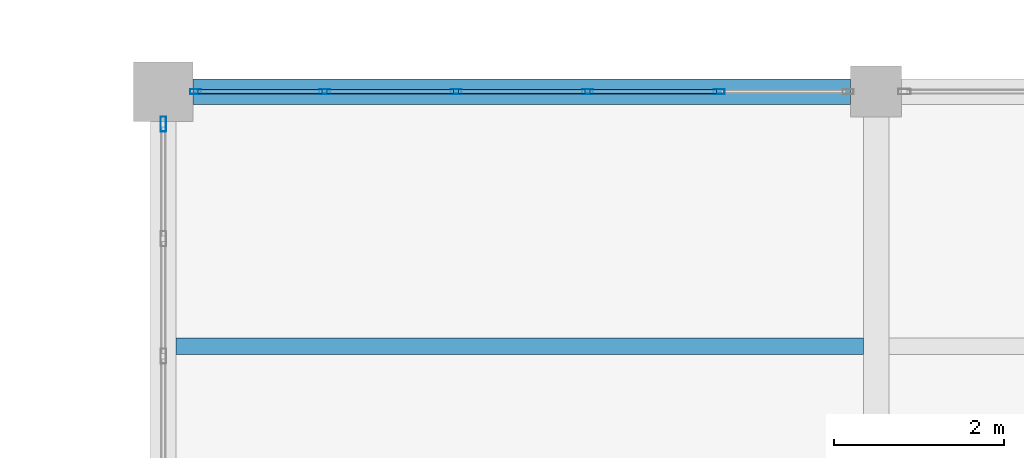
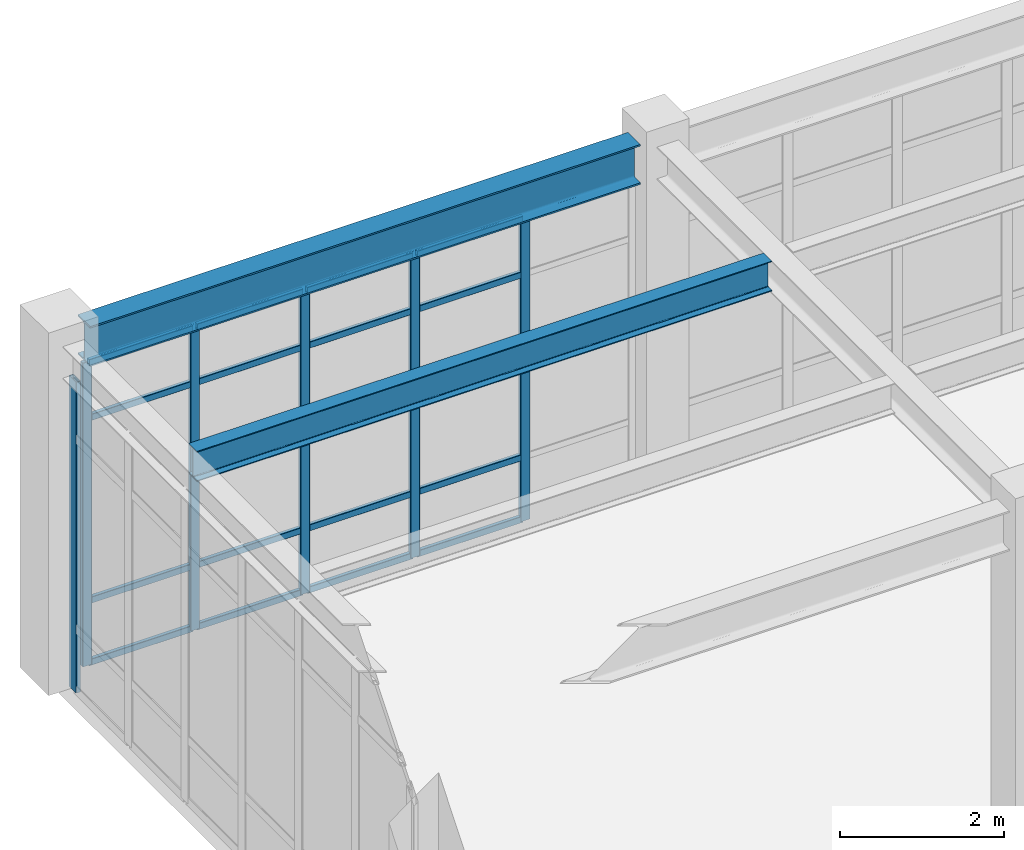
# One storey, part 40 of 80: 22 members, 2 beams, 2 elements without a shape of their own.
"""IFC4 building model written with IfcOpenShell, lengths in metres."""

import ifcopenshell
import ifcopenshell.guid

model = None  # the IFC model being written
_history = None  # IfcOwnerHistory: only IFC2X3 demands one
_inside = {}  # id of a spatial element -> (the spatial element, [elements in it])
_under = {}  # id of a project, library or spatial element -> (it, [spatial elements below it])
_declared = {}  # id of a project -> (the project, [libraries it declares])
_typed = {}  # id of a type object -> (the type object, [elements of that type])
_made_of = {}  # id of a material, layer set ... -> (it, [elements and type objects made of it])


def new_model(schema):
    """Start an empty IFC model of exactly this schema.

    Asked for "IFC4X3", IfcOpenShell would pick the latest addendum, in which some entities
    have other attributes; the version numbers below select the first issue.
    IFC2X3 requires an IfcOwnerHistory on every rooted entity: one is made here for all.
    """
    global model, _history
    if schema == "IFC4X3":
        model = ifcopenshell.file(schema_version=(4, 3, 0, 0))
    else:
        model = ifcopenshell.file(schema=schema)
    _inside.clear()
    _under.clear()
    _declared.clear()
    _typed.clear()
    _made_of.clear()
    _history = None
    if model.schema == "IFC2X3":
        org = make("IfcOrganization", Name="unknown")
        user = make(
            "IfcPersonAndOrganization",
            ThePerson=make("IfcPerson", FamilyName="unknown"),
            TheOrganization=org,
        )
        app = make(
            "IfcApplication",
            ApplicationDeveloper=org,
            Version="unknown",
            ApplicationFullName="unknown",
            ApplicationIdentifier="unknown",
        )
        _history = make(
            "IfcOwnerHistory",
            OwningUser=user,
            OwningApplication=app,
            ChangeAction="ADDED",
            CreationDate=0,
        )
    return model


def make(cls, **values):
    """One entity of the class cls with the attributes given. An attribute that is None is left unset."""
    return model.create_entity(
        cls, **{name: value for name, value in values.items() if value is not None}
    )


def rooted(cls, **values):
    """An entity with a GlobalId (a new one), such as an element, a storey or a relation."""
    return make(cls, GlobalId=ifcopenshell.guid.new(), OwnerHistory=_history, **values)


def si_unit(unit_type, name, prefix=None):
    """IfcSIUnit, for example si_unit("LENGTHUNIT", "METRE", prefix="MILLI")."""
    return make("IfcSIUnit", UnitType=unit_type, Prefix=prefix, Name=name)


def assignment(units):
    """IfcUnitAssignment: the units of a project."""
    return None if units is None else make("IfcUnitAssignment", Units=units)


def point(xyz):
    """IfcCartesianPoint."""
    return None if xyz is None else make("IfcCartesianPoint", Coordinates=xyz)


def direction(xyz):
    """IfcDirection."""
    return None if xyz is None else make("IfcDirection", DirectionRatios=xyz)


def frame(location, z_axis=None, x_axis=None):
    """IfcAxis2Placement3D, a coordinate frame: its origin and axes. An axis left out is left unset."""
    return make(
        "IfcAxis2Placement3D",
        Location=point(location),
        Axis=direction(z_axis),
        RefDirection=direction(x_axis),
    )


def frame_2d(location, x_axis=None):
    """IfcAxis2Placement2D, a coordinate frame in the plane: its origin and x axis."""
    return make(
        "IfcAxis2Placement2D", Location=point(location), RefDirection=direction(x_axis)
    )


def origin():
    """The frame at (0, 0, 0) with its axes left unset."""
    return frame((0.0, 0.0, 0.0))


def origin_2d():
    """The frame at (0, 0) in the plane with its x axis left unset."""
    return frame_2d((0.0, 0.0))


def place(relative_to, where):
    """IfcLocalPlacement: puts the frame where relative to a parent placement (None: the world)."""
    return make(
        "IfcLocalPlacement", PlacementRelTo=relative_to, RelativePlacement=where
    )


def context(
    kind, dimensions, precision=None, world=None, true_north=None, identifier=None
):
    """IfcGeometricRepresentationContext, for example the 3D "Model" context."""
    return make(
        "IfcGeometricRepresentationContext",
        ContextIdentifier=identifier,
        ContextType=kind,
        CoordinateSpaceDimension=dimensions,
        Precision=precision,
        WorldCoordinateSystem=world,
        TrueNorth=true_north,
    )


def subcontext(parent, identifier, kind, view, scale=None):
    """IfcGeometricRepresentationSubContext, for example "Body" below "Model"."""
    return make(
        "IfcGeometricRepresentationSubContext",
        ContextIdentifier=identifier,
        ContextType=kind,
        ParentContext=parent,
        TargetScale=scale,
        TargetView=view,
    )


def project(units=None, contexts=None):
    """IfcProject with its units and contexts."""
    return rooted(
        "IfcProject",
        Name="project",
        RepresentationContexts=contexts,
        UnitsInContext=assignment(units),
    )


def spatial(cls, under=None, at=None, **own):
    """A site, building, storey or space (cls), placed at a placement, below another one or the project."""
    s = rooted(cls, ObjectPlacement=at, **own)
    if under is not None:
        _under.setdefault(under.id(), (under, []))[1].append(s)
    return s


def profile(cls, at=None, kind="AREA", **sizes):
    """A parametric profile (cls). Its sizes go by their IFC names, for example OverallWidth=200.0."""
    return make(cls, ProfileType=kind, Position=at, **sizes)


def hollow_rectangle(**sizes):
    """IfcRectangleHollowProfileDef."""
    return profile("IfcRectangleHollowProfileDef", **sizes)


def i_section(**sizes):
    """IfcIShapeProfileDef."""
    return profile("IfcIShapeProfileDef", **sizes)


def extrude(swept, where, along, depth):
    """IfcExtrudedAreaSolid: the profile swept, set in the frame where, extruded along a direction by depth."""
    return make(
        "IfcExtrudedAreaSolid",
        SweptArea=swept,
        Position=where,
        ExtrudedDirection=direction(along),
        Depth=depth,
    )


def shape(context_of_items, identifier, shape_type, items):
    """IfcShapeRepresentation: the items that make up one representation, for example the "Body"."""
    return make(
        "IfcShapeRepresentation",
        ContextOfItems=context_of_items,
        RepresentationIdentifier=identifier,
        RepresentationType=shape_type,
        Items=items,
    )


def material(Name=None, Category=None):
    """IfcMaterial."""
    return make("IfcMaterial", Name=Name, Category=Category)


def material_profile(
    of_material, cross_section, Name=None, Category=None, Priority=None
):
    """IfcMaterialProfile: a cross section and its material."""
    return make(
        "IfcMaterialProfile",
        Name=Name,
        Material=of_material,
        Profile=cross_section,
        Priority=Priority,
        Category=Category,
    )


def profile_set(profiles, Name=None, composite=None):
    """IfcMaterialProfileSet."""
    return make(
        "IfcMaterialProfileSet",
        Name=Name,
        MaterialProfiles=profiles,
        CompositeProfile=composite,
    )


def made_of(thing, what):
    """Note that an element or type object is made of a material, layer set ...; save() writes the relation."""
    if what is not None:
        _made_of.setdefault(what.id(), (what, []))[1].append(thing)
    return thing


def type_object(cls, material=None, **own):
    """A type object (cls), such as IfcWallType, which elements share."""
    return made_of(rooted(cls, **own), material)


def element(
    cls,
    number,
    at=None,
    inside=None,
    cuts=None,
    type_object=None,
    material=None,
    context=None,
    identifier="Body",
    shape_type=None,
    held_by="IfcProductDefinitionShape",
    body=None,
    shapes=None,
    **own,
):
    """One element of the class cls, such as IfcWall. Its Tag is "e" and its number.

    at: its placement. inside: the storey or other place that contains it. cuts: it is an
    opening in that element (IfcRelVoidsElement). A single representation is given by context,
    identifier, shape_type and body (its items); several are given by shapes. held_by: the class
    of the entity that holds the representations. save() writes the other relations.
    """
    e = rooted(cls, Tag="e%d" % number, ObjectPlacement=at, **own)
    if body is not None:
        shapes = [shape(context, identifier, shape_type, body)]
    if shapes is not None:
        e.Representation = make(held_by, Representations=shapes)
    if inside is not None:
        _inside.setdefault(inside.id(), (inside, []))[1].append(e)
    if cuts is not None:
        rooted(
            "IfcRelVoidsElement", RelatingBuildingElement=cuts, RelatedOpeningElement=e
        )
    if type_object is not None:
        _typed.setdefault(type_object.id(), (type_object, []))[1].append(e)
    return made_of(e, material)


def aggregate(whole, parts):
    """IfcRelAggregates: a whole, such as a stair, and the parts it consists of."""
    return rooted("IfcRelAggregates", RelatingObject=whole, RelatedObjects=parts)


def save(model, path):
    """Write the relations noted so far, then the file.

    IfcRelAggregates (storeys below a building ...), IfcRelContainedInSpatialStructure (elements
    in a storey), IfcRelDefinesByType, IfcRelAssociatesMaterial and IfcRelDeclares: one each for
    every whole, place, type object, material and project.
    """
    for whole, parts in _under.values():
        aggregate(whole, parts)
    for where, things in _inside.values():
        rooted(
            "IfcRelContainedInSpatialStructure",
            RelatedElements=things,
            RelatingStructure=where,
        )
    for kind, things in _typed.values():
        rooted("IfcRelDefinesByType", RelatedObjects=things, RelatingType=kind)
    for what, things in _made_of.values():
        rooted("IfcRelAssociatesMaterial", RelatedObjects=things, RelatingMaterial=what)
    for by, libraries in _declared.values():
        rooted("IfcRelDeclares", RelatingContext=by, RelatedDefinitions=libraries)
    model.write(path)


model = new_model("IFC4")

# Units and contexts
model_context = context("Model", 3, precision=1e-05, world=origin(), true_north=direction((0.0, 1.0)))
body_context = subcontext(model_context, "Body", "Model", "MODEL_VIEW")
ifc_project = project(units=[si_unit("LENGTHUNIT", "METRE"), si_unit("AREAUNIT", "SQUARE_METRE"), si_unit("VOLUMEUNIT", "CUBIC_METRE"), si_unit("PLANEANGLEUNIT", "RADIAN"), si_unit("MASSUNIT", "GRAM", prefix="KILO")], contexts=[model_context])

# Site, building, storey
site_placement = place(None, origin())
site = spatial("IfcSite", under=ifc_project, at=site_placement, CompositionType="ELEMENT")
building_placement = place(site_placement, origin())
building = spatial("IfcBuilding", under=site, at=building_placement, Name="Canglan Escarpment Cableway Terminal", CompositionType="ELEMENT")
storey_placement = place(building_placement, frame((0.0, 0.0, 19.199951171875)))
storey = spatial("IfcBuildingStorey", under=building, at=storey_placement, Name="L04", CompositionType="ELEMENT", Elevation=19.199951171875)

# Beam
ifc_material_1 = material(Name="Steel Q355C", Category="steel")
ifc_material_profile_1 = material_profile(ifc_material_1, i_section(OverallWidth=0.302001953125, OverallDepth=0.593994140625, WebThickness=0.013916015625, FlangeThickness=0.02294921875, FilletRadius=0.028076171875, at=origin_2d()), Name="HM 594x302x14x23")
ifc_profile_set_1 = profile_set([ifc_material_profile_1], Name="Steel Q355C")
beam_type_1 = type_object("IfcBeamType", Name="BM-HM594", PredefinedType="BEAM", material=ifc_profile_set_1)
beam_1_placement = place(storey_placement, frame((111.85009765625, 115.0, 4.8330078125), z_axis=(1.0, 0.0, 0.0), x_axis=(0.0, 1.0, 0.0)))
element("IfcBeam", 1, at=beam_1_placement, inside=storey, type_object=beam_type_1, Name="Primary structural girder B-07", PredefinedType="BEAM", context=body_context, shape_type="SweptSolid", body=[
    extrude(i_section(OverallWidth=0.302001953125, OverallDepth=0.593994140625, WebThickness=0.013916015625, FlangeThickness=0.02294921875, FilletRadius=0.028076171875, at=origin_2d()), origin(), (0.0, 0.0, 1.0), 7.75),
])

# Curtain wall, members
ifc_material_2 = material(Name="Anodized bronze aluminium and Low-E double glazing", Category="aluminium")
curtain_wall_type_1 = type_object("IfcCurtainWallType", Name="CW-BAY-7750x4525", PredefinedType="NOTDEFINED", material=ifc_material_2)
curtain_wall_1_placement = place(storey_placement, origin())
curtain_wall_1 = element("IfcCurtainWall", 2, at=curtain_wall_1_placement, inside=storey, type_object=curtain_wall_type_1, Name="Classical bay-between-piers glazed curtain wall CW-52", PredefinedType="NOTDEFINED")
ifc_material_3 = material(Name="Thermally broken anodized aluminium 6063-T6", Category="aluminium")
ifc_material_profile_2 = material_profile(ifc_material_3, hollow_rectangle(XDim=0.06005859375, YDim=0.1298828125, WallThickness=0.0029296875, InnerFilletRadius=0.0029296875, OuterFilletRadius=0.006103515625, at=origin_2d()), Name="ALU-MULL 60x130x3")
ifc_profile_set_2 = profile_set([ifc_material_profile_2], Name="Thermally broken anodized aluminium 6063-T6")
member_type_1 = type_object("IfcMemberType", Name="CWM-01", PredefinedType="MULLION", material=ifc_profile_set_2)
member_1_placement = place(storey_placement, frame((118.050048828125, 115.0, 0.0), z_axis=(0.0, 0.0, 1.0), x_axis=(0.0, -1.0, 0.0)))
member_1 = element("IfcMember", 3, at=member_1_placement, type_object=member_type_1, Name="CW-52 mullion 2", PredefinedType="MULLION", context=body_context, shape_type="SweptSolid", body=[
    extrude(hollow_rectangle(XDim=0.06005859375, YDim=0.1298828125, WallThickness=0.0029296875, InnerFilletRadius=0.0029296875, OuterFilletRadius=0.006103515625, at=origin_2d()), origin(), (0.0, 0.0, 1.0), 4.52099609375),
])
member_2_placement = place(storey_placement, frame((116.5, 115.0, 0.0), z_axis=(0.0, 0.0, 1.0), x_axis=(0.0, -1.0, 0.0)))
member_2 = element("IfcMember", 4, at=member_2_placement, type_object=member_type_1, Name="CW-52 mullion 3", PredefinedType="MULLION", context=body_context, shape_type="SweptSolid", body=[
    extrude(hollow_rectangle(XDim=0.06005859375, YDim=0.1298828125, WallThickness=0.0029296875, InnerFilletRadius=0.0029296875, OuterFilletRadius=0.006103515625, at=origin_2d()), origin(), (0.0, 0.0, 1.0), 4.52099609375),
])
member_3_placement = place(storey_placement, frame((114.949951171875, 115.0, 0.0), z_axis=(0.0, 0.0, 1.0), x_axis=(0.0, -1.0, 0.0)))
member_3 = element("IfcMember", 5, at=member_3_placement, type_object=member_type_1, Name="CW-52 mullion 4", PredefinedType="MULLION", context=body_context, shape_type="SweptSolid", body=[
    extrude(hollow_rectangle(XDim=0.06005859375, YDim=0.1298828125, WallThickness=0.0029296875, InnerFilletRadius=0.0029296875, OuterFilletRadius=0.006103515625, at=origin_2d()), origin(), (0.0, 0.0, 1.0), 4.52099609375),
])
member_4_placement = place(storey_placement, frame((113.39990234375, 115.0, 0.0), z_axis=(0.0, 0.0, 1.0), x_axis=(0.0, -1.0, 0.0)))
member_4 = element("IfcMember", 6, at=member_4_placement, type_object=member_type_1, Name="CW-52 mullion 5", PredefinedType="MULLION", context=body_context, shape_type="SweptSolid", body=[
    extrude(hollow_rectangle(XDim=0.06005859375, YDim=0.1298828125, WallThickness=0.0029296875, InnerFilletRadius=0.0029296875, OuterFilletRadius=0.006103515625, at=origin_2d()), origin(), (0.0, 0.0, 1.0), 4.52099609375),
])
member_5_placement = place(storey_placement, frame((111.8798828125, 115.0, 0.0), z_axis=(0.0, 0.0, 1.0), x_axis=(0.0, -1.0, 0.0)))
member_5 = element("IfcMember", 7, at=member_5_placement, type_object=member_type_1, Name="CW-52 mullion 6", PredefinedType="MULLION", context=body_context, shape_type="SweptSolid", body=[
    extrude(hollow_rectangle(XDim=0.06005859375, YDim=0.1298828125, WallThickness=0.0029296875, InnerFilletRadius=0.0029296875, OuterFilletRadius=0.006103515625, at=origin_2d()), origin(), (0.0, 0.0, 1.0), 4.52099609375),
])

# Curtain wall, member
curtain_wall_type_2 = type_object("IfcCurtainWallType", Name="CW-BAY-8300x4625", PredefinedType="NOTDEFINED", material=ifc_material_2)
curtain_wall_2_placement = place(storey_placement, origin())
curtain_wall_2 = element("IfcCurtainWall", 8, at=curtain_wall_2_placement, inside=storey, type_object=curtain_wall_type_2, Name="Classical bay-between-piers glazed curtain wall CW-56", PredefinedType="NOTDEFINED")
ifc_material_profile_3 = material_profile(ifc_material_3, hollow_rectangle(XDim=0.06494140625, YDim=0.179931640625, WallThickness=0.00390625, InnerFilletRadius=0.00390625, OuterFilletRadius=0.008056640625, at=origin_2d()), Name="ALU-MULL 65x180x4")
ifc_profile_set_3 = profile_set([ifc_material_profile_3], Name="Thermally broken anodized aluminium 6063-T6")
member_type_2 = type_object("IfcMemberType", Name="CWM-03", PredefinedType="MULLION", material=ifc_profile_set_3)
member_6_placement = place(storey_placement, frame((111.5, 114.617431640625, 0.0), z_axis=(0.0, 0.0, 1.0), x_axis=(1.0, 0.0, 0.0)))
member_6 = element("IfcMember", 9, at=member_6_placement, type_object=member_type_2, Name="CW-56 mullion 1", PredefinedType="MULLION", context=body_context, shape_type="SweptSolid", body=[
    extrude(hollow_rectangle(XDim=0.06494140625, YDim=0.179931640625, WallThickness=0.00390625, InnerFilletRadius=0.00390625, OuterFilletRadius=0.008056640625, at=origin_2d()), origin(), (0.0, 0.0, 1.0), 4.626953125),
])
aggregate(curtain_wall_2, [member_6])

# Member
ifc_material_profile_4 = material_profile(ifc_material_3, hollow_rectangle(XDim=0.054931640625, YDim=0.094970703125, WallThickness=0.0029296875, InnerFilletRadius=0.0029296875, OuterFilletRadius=0.006103515625, at=origin_2d()), Name="ALU-TRAN 55x95x3")
ifc_profile_set_4 = profile_set([ifc_material_profile_4], Name="Thermally broken anodized aluminium 6063-T6")
member_type_3 = type_object("IfcMemberType", Name="CWT-01", PredefinedType="USERDEFINED", material=ifc_profile_set_4)
member_7_placement = place(storey_placement, frame((118.02001953125, 115.0, 0.027587890625), z_axis=(-1.0, 0.0, 0.0), x_axis=(0.0, -1.0, 0.0)))
member_7 = element("IfcMember", 10, at=member_7_placement, type_object=member_type_3, Name="CW-52 transom 2.1", ObjectType="TRANSOM", PredefinedType="USERDEFINED", context=body_context, shape_type="SweptSolid", body=[
    extrude(hollow_rectangle(XDim=0.054931640625, YDim=0.094970703125, WallThickness=0.0029296875, InnerFilletRadius=0.0029296875, OuterFilletRadius=0.006103515625, at=origin_2d()), origin(), (0.0, 0.0, 1.0), 1.489990234375),
])

member_8_placement = place(storey_placement, frame((118.02001953125, 115.0, 0.949951171875), z_axis=(-1.0, 0.0, 0.0), x_axis=(0.0, -1.0, 0.0)))
member_8 = element("IfcMember", 11, at=member_8_placement, type_object=member_type_3, Name="CW-52 transom 2.2", ObjectType="TRANSOM", PredefinedType="USERDEFINED", context=body_context, shape_type="SweptSolid", body=[
    extrude(hollow_rectangle(XDim=0.054931640625, YDim=0.094970703125, WallThickness=0.0029296875, InnerFilletRadius=0.0029296875, OuterFilletRadius=0.006103515625, at=origin_2d()), origin(), (0.0, 0.0, 1.0), 1.489990234375),
])

member_9_placement = place(storey_placement, frame((118.02001953125, 115.0, 3.671142578125), z_axis=(-1.0, 0.0, 0.0), x_axis=(0.0, -1.0, 0.0)))
member_9 = element("IfcMember", 12, at=member_9_placement, type_object=member_type_3, Name="CW-52 transom 2.3", ObjectType="TRANSOM", PredefinedType="USERDEFINED", context=body_context, shape_type="SweptSolid", body=[
    extrude(hollow_rectangle(XDim=0.054931640625, YDim=0.094970703125, WallThickness=0.0029296875, InnerFilletRadius=0.0029296875, OuterFilletRadius=0.006103515625, at=origin_2d()), origin(), (0.0, 0.0, 1.0), 1.489990234375),
])

member_10_placement = place(storey_placement, frame((118.02001953125, 115.0, 4.49365234375), z_axis=(-1.0, 0.0, 0.0), x_axis=(0.0, -1.0, 0.0)))
member_10 = element("IfcMember", 13, at=member_10_placement, type_object=member_type_3, Name="CW-52 transom 2.4", ObjectType="TRANSOM", PredefinedType="USERDEFINED", context=body_context, shape_type="SweptSolid", body=[
    extrude(hollow_rectangle(XDim=0.054931640625, YDim=0.094970703125, WallThickness=0.0029296875, InnerFilletRadius=0.0029296875, OuterFilletRadius=0.006103515625, at=origin_2d()), origin(), (0.0, 0.0, 1.0), 1.489990234375),
])

member_11_placement = place(storey_placement, frame((116.469970703125, 115.0, 0.027587890625), z_axis=(-1.0, 0.0, 0.0), x_axis=(0.0, -1.0, 0.0)))
member_11 = element("IfcMember", 14, at=member_11_placement, type_object=member_type_3, Name="CW-52 transom 3.1", ObjectType="TRANSOM", PredefinedType="USERDEFINED", context=body_context, shape_type="SweptSolid", body=[
    extrude(hollow_rectangle(XDim=0.054931640625, YDim=0.094970703125, WallThickness=0.0029296875, InnerFilletRadius=0.0029296875, OuterFilletRadius=0.006103515625, at=origin_2d()), origin(), (0.0, 0.0, 1.0), 1.489990234375),
])

member_12_placement = place(storey_placement, frame((116.469970703125, 115.0, 0.949951171875), z_axis=(-1.0, 0.0, 0.0), x_axis=(0.0, -1.0, 0.0)))
member_12 = element("IfcMember", 15, at=member_12_placement, type_object=member_type_3, Name="CW-52 transom 3.2", ObjectType="TRANSOM", PredefinedType="USERDEFINED", context=body_context, shape_type="SweptSolid", body=[
    extrude(hollow_rectangle(XDim=0.054931640625, YDim=0.094970703125, WallThickness=0.0029296875, InnerFilletRadius=0.0029296875, OuterFilletRadius=0.006103515625, at=origin_2d()), origin(), (0.0, 0.0, 1.0), 1.489990234375),
])

member_13_placement = place(storey_placement, frame((116.469970703125, 115.0, 3.671142578125), z_axis=(-1.0, 0.0, 0.0), x_axis=(0.0, -1.0, 0.0)))
member_13 = element("IfcMember", 16, at=member_13_placement, type_object=member_type_3, Name="CW-52 transom 3.3", ObjectType="TRANSOM", PredefinedType="USERDEFINED", context=body_context, shape_type="SweptSolid", body=[
    extrude(hollow_rectangle(XDim=0.054931640625, YDim=0.094970703125, WallThickness=0.0029296875, InnerFilletRadius=0.0029296875, OuterFilletRadius=0.006103515625, at=origin_2d()), origin(), (0.0, 0.0, 1.0), 1.489990234375),
])

member_14_placement = place(storey_placement, frame((116.469970703125, 115.0, 4.49365234375), z_axis=(-1.0, 0.0, 0.0), x_axis=(0.0, -1.0, 0.0)))
member_14 = element("IfcMember", 17, at=member_14_placement, type_object=member_type_3, Name="CW-52 transom 3.4", ObjectType="TRANSOM", PredefinedType="USERDEFINED", context=body_context, shape_type="SweptSolid", body=[
    extrude(hollow_rectangle(XDim=0.054931640625, YDim=0.094970703125, WallThickness=0.0029296875, InnerFilletRadius=0.0029296875, OuterFilletRadius=0.006103515625, at=origin_2d()), origin(), (0.0, 0.0, 1.0), 1.489990234375),
])

member_15_placement = place(storey_placement, frame((114.919921875, 115.0, 0.027587890625), z_axis=(-1.0, 0.0, 0.0), x_axis=(0.0, -1.0, 0.0)))
member_15 = element("IfcMember", 18, at=member_15_placement, type_object=member_type_3, Name="CW-52 transom 4.1", ObjectType="TRANSOM", PredefinedType="USERDEFINED", context=body_context, shape_type="SweptSolid", body=[
    extrude(hollow_rectangle(XDim=0.054931640625, YDim=0.094970703125, WallThickness=0.0029296875, InnerFilletRadius=0.0029296875, OuterFilletRadius=0.006103515625, at=origin_2d()), origin(), (0.0, 0.0, 1.0), 1.489990234375),
])

member_16_placement = place(storey_placement, frame((114.919921875, 115.0, 0.949951171875), z_axis=(-1.0, 0.0, 0.0), x_axis=(0.0, -1.0, 0.0)))
member_16 = element("IfcMember", 19, at=member_16_placement, type_object=member_type_3, Name="CW-52 transom 4.2", ObjectType="TRANSOM", PredefinedType="USERDEFINED", context=body_context, shape_type="SweptSolid", body=[
    extrude(hollow_rectangle(XDim=0.054931640625, YDim=0.094970703125, WallThickness=0.0029296875, InnerFilletRadius=0.0029296875, OuterFilletRadius=0.006103515625, at=origin_2d()), origin(), (0.0, 0.0, 1.0), 1.489990234375),
])

member_17_placement = place(storey_placement, frame((114.919921875, 115.0, 3.671142578125), z_axis=(-1.0, 0.0, 0.0), x_axis=(0.0, -1.0, 0.0)))
member_17 = element("IfcMember", 20, at=member_17_placement, type_object=member_type_3, Name="CW-52 transom 4.3", ObjectType="TRANSOM", PredefinedType="USERDEFINED", context=body_context, shape_type="SweptSolid", body=[
    extrude(hollow_rectangle(XDim=0.054931640625, YDim=0.094970703125, WallThickness=0.0029296875, InnerFilletRadius=0.0029296875, OuterFilletRadius=0.006103515625, at=origin_2d()), origin(), (0.0, 0.0, 1.0), 1.489990234375),
])

member_18_placement = place(storey_placement, frame((114.919921875, 115.0, 4.49365234375), z_axis=(-1.0, 0.0, 0.0), x_axis=(0.0, -1.0, 0.0)))
member_18 = element("IfcMember", 21, at=member_18_placement, type_object=member_type_3, Name="CW-52 transom 4.4", ObjectType="TRANSOM", PredefinedType="USERDEFINED", context=body_context, shape_type="SweptSolid", body=[
    extrude(hollow_rectangle(XDim=0.054931640625, YDim=0.094970703125, WallThickness=0.0029296875, InnerFilletRadius=0.0029296875, OuterFilletRadius=0.006103515625, at=origin_2d()), origin(), (0.0, 0.0, 1.0), 1.489990234375),
])

member_19_placement = place(storey_placement, frame((113.3701171875, 115.0, 0.027587890625), z_axis=(-1.0, 0.0, 0.0), x_axis=(0.0, -1.0, 0.0)))
member_19 = element("IfcMember", 22, at=member_19_placement, type_object=member_type_3, Name="CW-52 transom 5.1", ObjectType="TRANSOM", PredefinedType="USERDEFINED", context=body_context, shape_type="SweptSolid", body=[
    extrude(hollow_rectangle(XDim=0.054931640625, YDim=0.094970703125, WallThickness=0.0029296875, InnerFilletRadius=0.0029296875, OuterFilletRadius=0.006103515625, at=origin_2d()), origin(), (0.0, 0.0, 1.0), 1.460205078125),
])

member_20_placement = place(storey_placement, frame((113.3701171875, 115.0, 0.949951171875), z_axis=(-1.0, 0.0, 0.0), x_axis=(0.0, -1.0, 0.0)))
member_20 = element("IfcMember", 23, at=member_20_placement, type_object=member_type_3, Name="CW-52 transom 5.2", ObjectType="TRANSOM", PredefinedType="USERDEFINED", context=body_context, shape_type="SweptSolid", body=[
    extrude(hollow_rectangle(XDim=0.054931640625, YDim=0.094970703125, WallThickness=0.0029296875, InnerFilletRadius=0.0029296875, OuterFilletRadius=0.006103515625, at=origin_2d()), origin(), (0.0, 0.0, 1.0), 1.460205078125),
])

member_21_placement = place(storey_placement, frame((113.3701171875, 115.0, 3.671142578125), z_axis=(-1.0, 0.0, 0.0), x_axis=(0.0, -1.0, 0.0)))
member_21 = element("IfcMember", 24, at=member_21_placement, type_object=member_type_3, Name="CW-52 transom 5.3", ObjectType="TRANSOM", PredefinedType="USERDEFINED", context=body_context, shape_type="SweptSolid", body=[
    extrude(hollow_rectangle(XDim=0.054931640625, YDim=0.094970703125, WallThickness=0.0029296875, InnerFilletRadius=0.0029296875, OuterFilletRadius=0.006103515625, at=origin_2d()), origin(), (0.0, 0.0, 1.0), 1.460205078125),
])

member_22_placement = place(storey_placement, frame((113.3701171875, 115.0, 4.49365234375), z_axis=(-1.0, 0.0, 0.0), x_axis=(0.0, -1.0, 0.0)))
member_22 = element("IfcMember", 25, at=member_22_placement, type_object=member_type_3, Name="CW-52 transom 5.4", ObjectType="TRANSOM", PredefinedType="USERDEFINED", context=body_context, shape_type="SweptSolid", body=[
    extrude(hollow_rectangle(XDim=0.054931640625, YDim=0.094970703125, WallThickness=0.0029296875, InnerFilletRadius=0.0029296875, OuterFilletRadius=0.006103515625, at=origin_2d()), origin(), (0.0, 0.0, 1.0), 1.460205078125),
])

aggregate(curtain_wall_1, [member_1, member_2, member_3, member_4, member_5, member_7, member_8, member_9, member_10, member_11, member_12, member_13, member_14, member_15, member_16, member_17, member_18, member_19, member_20, member_21, member_22])

# Beam
ifc_material_4 = material(Name="Steel Q355B", Category="steel")
ifc_material_profile_5 = material_profile(ifc_material_4, i_section(OverallWidth=0.199951171875, OverallDepth=0.449951171875, WebThickness=0.009033203125, FlangeThickness=0.013916015625, FilletRadius=0.01806640625, at=origin_2d()), Name="HN 450x200x9x14")
ifc_profile_set_5 = profile_set([ifc_material_profile_5], Name="Steel Q355B")
beam_type_2 = type_object("IfcBeamType", Name="JS-HN450", PredefinedType="JOIST", material=ifc_profile_set_5)
beam_2_placement = place(storey_placement, frame((111.64990234375, 112.0, 4.905029296875), z_axis=(1.0, 0.0, 0.0), x_axis=(0.0, 1.0, 0.0)))
element("IfcBeam", 26, at=beam_2_placement, inside=storey, type_object=beam_type_2, Name="Secondary composite deck joist J-02", PredefinedType="JOIST", context=body_context, shape_type="SweptSolid", body=[
    extrude(i_section(OverallWidth=0.199951171875, OverallDepth=0.449951171875, WebThickness=0.009033203125, FlangeThickness=0.013916015625, FilletRadius=0.01806640625, at=origin_2d()), origin(), (0.0, 0.0, 1.0), 8.10009765625),
])

save(model, "model.ifc")
